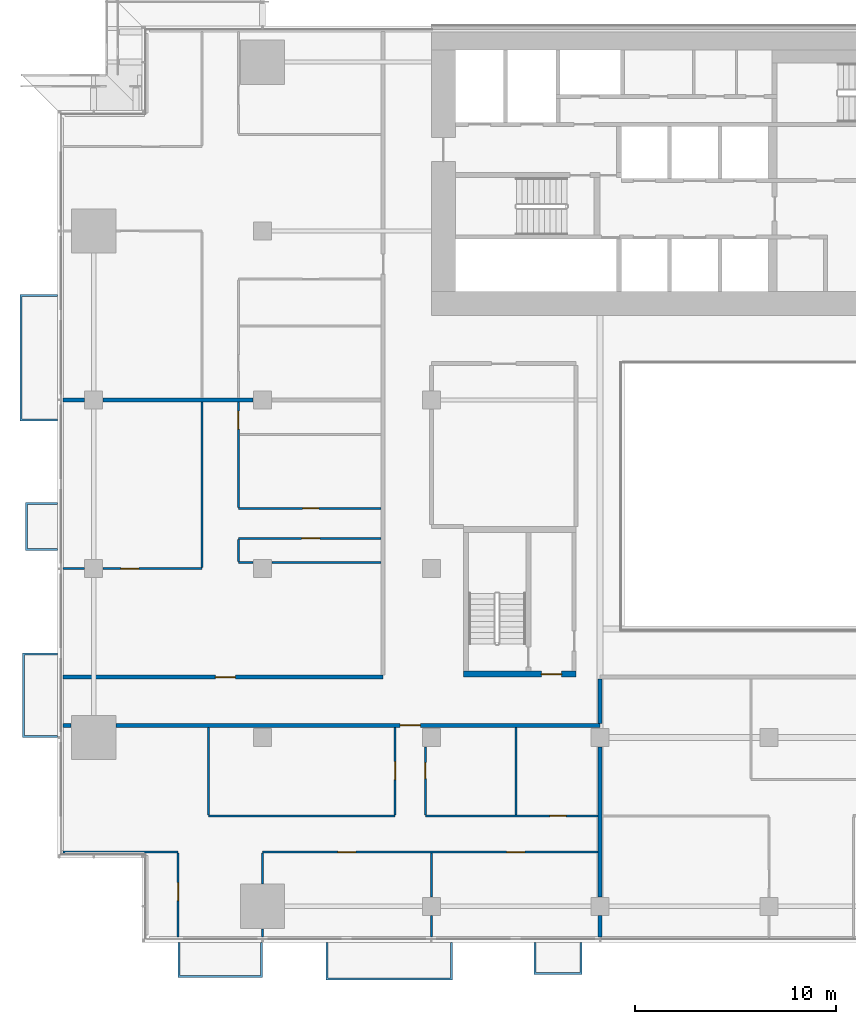
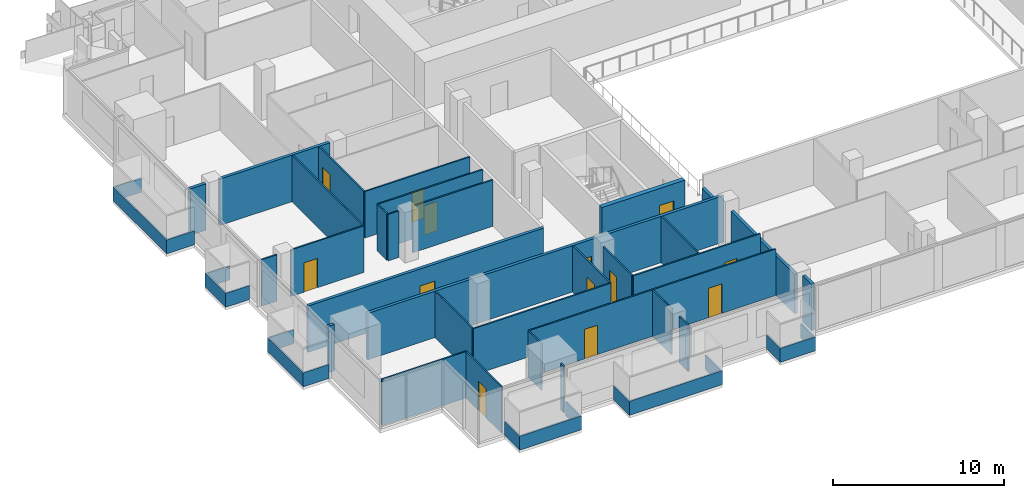
# One storey, part 17 of 29: 37 walls, 13 doors, 13 openings.
"""IFC4 building model written with IfcOpenShell, lengths in metres."""

import ifcopenshell
import ifcopenshell.guid

model = None  # the IFC model being written
_history = None  # IfcOwnerHistory: only IFC2X3 demands one
_inside = {}  # id of a spatial element -> (the spatial element, [elements in it])
_under = {}  # id of a project, library or spatial element -> (it, [spatial elements below it])
_declared = {}  # id of a project -> (the project, [libraries it declares])
_typed = {}  # id of a type object -> (the type object, [elements of that type])
_made_of = {}  # id of a material, layer set ... -> (it, [elements and type objects made of it])


def new_model(schema):
    """Start an empty IFC model of exactly this schema.

    Asked for "IFC4X3", IfcOpenShell would pick the latest addendum, in which some entities
    have other attributes; the version numbers below select the first issue.
    IFC2X3 requires an IfcOwnerHistory on every rooted entity: one is made here for all.
    """
    global model, _history
    if schema == "IFC4X3":
        model = ifcopenshell.file(schema_version=(4, 3, 0, 0))
    else:
        model = ifcopenshell.file(schema=schema)
    _inside.clear()
    _under.clear()
    _declared.clear()
    _typed.clear()
    _made_of.clear()
    _history = None
    if model.schema == "IFC2X3":
        org = make("IfcOrganization", Name="unknown")
        user = make(
            "IfcPersonAndOrganization",
            ThePerson=make("IfcPerson", FamilyName="unknown"),
            TheOrganization=org,
        )
        app = make(
            "IfcApplication",
            ApplicationDeveloper=org,
            Version="unknown",
            ApplicationFullName="unknown",
            ApplicationIdentifier="unknown",
        )
        _history = make(
            "IfcOwnerHistory",
            OwningUser=user,
            OwningApplication=app,
            ChangeAction="ADDED",
            CreationDate=0,
        )
    return model


def make(cls, **values):
    """One entity of the class cls with the attributes given. An attribute that is None is left unset."""
    return model.create_entity(
        cls, **{name: value for name, value in values.items() if value is not None}
    )


def rooted(cls, **values):
    """An entity with a GlobalId (a new one), such as an element, a storey or a relation."""
    return make(cls, GlobalId=ifcopenshell.guid.new(), OwnerHistory=_history, **values)


def si_unit(unit_type, name, prefix=None):
    """IfcSIUnit, for example si_unit("LENGTHUNIT", "METRE", prefix="MILLI")."""
    return make("IfcSIUnit", UnitType=unit_type, Prefix=prefix, Name=name)


def assignment(units):
    """IfcUnitAssignment: the units of a project."""
    return None if units is None else make("IfcUnitAssignment", Units=units)


def point(xyz):
    """IfcCartesianPoint."""
    return None if xyz is None else make("IfcCartesianPoint", Coordinates=xyz)


def direction(xyz):
    """IfcDirection."""
    return None if xyz is None else make("IfcDirection", DirectionRatios=xyz)


def frame(location, z_axis=None, x_axis=None):
    """IfcAxis2Placement3D, a coordinate frame: its origin and axes. An axis left out is left unset."""
    return make(
        "IfcAxis2Placement3D",
        Location=point(location),
        Axis=direction(z_axis),
        RefDirection=direction(x_axis),
    )


def frame_2d(location, x_axis=None):
    """IfcAxis2Placement2D, a coordinate frame in the plane: its origin and x axis."""
    return make(
        "IfcAxis2Placement2D", Location=point(location), RefDirection=direction(x_axis)
    )


def origin():
    """The frame at (0, 0, 0) with its axes left unset."""
    return frame((0.0, 0.0, 0.0))


def place(relative_to, where):
    """IfcLocalPlacement: puts the frame where relative to a parent placement (None: the world)."""
    return make(
        "IfcLocalPlacement", PlacementRelTo=relative_to, RelativePlacement=where
    )


def context(
    kind, dimensions, precision=None, world=None, true_north=None, identifier=None
):
    """IfcGeometricRepresentationContext, for example the 3D "Model" context."""
    return make(
        "IfcGeometricRepresentationContext",
        ContextIdentifier=identifier,
        ContextType=kind,
        CoordinateSpaceDimension=dimensions,
        Precision=precision,
        WorldCoordinateSystem=world,
        TrueNorth=true_north,
    )


def subcontext(parent, identifier, kind, view, scale=None):
    """IfcGeometricRepresentationSubContext, for example "Body" below "Model"."""
    return make(
        "IfcGeometricRepresentationSubContext",
        ContextIdentifier=identifier,
        ContextType=kind,
        ParentContext=parent,
        TargetScale=scale,
        TargetView=view,
    )


def project(units=None, contexts=None):
    """IfcProject with its units and contexts."""
    return rooted(
        "IfcProject",
        Name="project",
        RepresentationContexts=contexts,
        UnitsInContext=assignment(units),
    )


def spatial(cls, under=None, at=None, **own):
    """A site, building, storey or space (cls), placed at a placement, below another one or the project."""
    s = rooted(cls, ObjectPlacement=at, **own)
    if under is not None:
        _under.setdefault(under.id(), (under, []))[1].append(s)
    return s


def polyline(points):
    """IfcPolyline through the points."""
    return make("IfcPolyline", Points=[point(p) for p in points])


def profile(cls, at=None, kind="AREA", **sizes):
    """A parametric profile (cls). Its sizes go by their IFC names, for example OverallWidth=200.0."""
    return make(cls, ProfileType=kind, Position=at, **sizes)


def rectangle(**sizes):
    """IfcRectangleProfileDef."""
    return profile("IfcRectangleProfileDef", **sizes)


def outline(outer, holes=None, kind="AREA"):
    """IfcArbitraryClosedProfileDef: a profile drawn as a closed curve; with holes, ...WithVoids."""
    if holes is None:
        return make("IfcArbitraryClosedProfileDef", ProfileType=kind, OuterCurve=outer)
    return make(
        "IfcArbitraryProfileDefWithVoids",
        ProfileType=kind,
        OuterCurve=outer,
        InnerCurves=holes,
    )


def extrude(swept, where, along, depth):
    """IfcExtrudedAreaSolid: the profile swept, set in the frame where, extruded along a direction by depth."""
    return make(
        "IfcExtrudedAreaSolid",
        SweptArea=swept,
        Position=where,
        ExtrudedDirection=direction(along),
        Depth=depth,
    )


def shape(context_of_items, identifier, shape_type, items):
    """IfcShapeRepresentation: the items that make up one representation, for example the "Body"."""
    return make(
        "IfcShapeRepresentation",
        ContextOfItems=context_of_items,
        RepresentationIdentifier=identifier,
        RepresentationType=shape_type,
        Items=items,
    )


def material(Name=None, Category=None):
    """IfcMaterial."""
    return make("IfcMaterial", Name=Name, Category=Category)


def layer(
    of_material, thickness, ventilated=None, Name=None, Category=None, Priority=None
):
    """IfcMaterialLayer: one layer of a wall or slab, of a material (None: an air gap)."""
    return make(
        "IfcMaterialLayer",
        Material=of_material,
        LayerThickness=thickness,
        IsVentilated=ventilated,
        Name=Name,
        Category=Category,
        Priority=Priority,
    )


def layer_set(layers, Name=None):
    """IfcMaterialLayerSet."""
    return make("IfcMaterialLayerSet", MaterialLayers=layers, LayerSetName=Name)


def made_of(thing, what):
    """Note that an element or type object is made of a material, layer set ...; save() writes the relation."""
    if what is not None:
        _made_of.setdefault(what.id(), (what, []))[1].append(thing)
    return thing


def type_object(cls, material=None, **own):
    """A type object (cls), such as IfcWallType, which elements share."""
    return made_of(rooted(cls, **own), material)


def element(
    cls,
    number,
    at=None,
    inside=None,
    cuts=None,
    type_object=None,
    material=None,
    context=None,
    identifier="Body",
    shape_type=None,
    held_by="IfcProductDefinitionShape",
    body=None,
    shapes=None,
    **own,
):
    """One element of the class cls, such as IfcWall. Its Tag is "e" and its number.

    at: its placement. inside: the storey or other place that contains it. cuts: it is an
    opening in that element (IfcRelVoidsElement). A single representation is given by context,
    identifier, shape_type and body (its items); several are given by shapes. held_by: the class
    of the entity that holds the representations. save() writes the other relations.
    """
    e = rooted(cls, Tag="e%d" % number, ObjectPlacement=at, **own)
    if body is not None:
        shapes = [shape(context, identifier, shape_type, body)]
    if shapes is not None:
        e.Representation = make(held_by, Representations=shapes)
    if inside is not None:
        _inside.setdefault(inside.id(), (inside, []))[1].append(e)
    if cuts is not None:
        rooted(
            "IfcRelVoidsElement", RelatingBuildingElement=cuts, RelatedOpeningElement=e
        )
    if type_object is not None:
        _typed.setdefault(type_object.id(), (type_object, []))[1].append(e)
    return made_of(e, material)


def fill(opening, filler):
    """IfcRelFillsElement: the door or window that sits in an opening."""
    return rooted(
        "IfcRelFillsElement",
        RelatingOpeningElement=opening,
        RelatedBuildingElement=filler,
    )


def aggregate(whole, parts):
    """IfcRelAggregates: a whole, such as a stair, and the parts it consists of."""
    return rooted("IfcRelAggregates", RelatingObject=whole, RelatedObjects=parts)


def save(model, path):
    """Write the relations noted so far, then the file.

    IfcRelAggregates (storeys below a building ...), IfcRelContainedInSpatialStructure (elements
    in a storey), IfcRelDefinesByType, IfcRelAssociatesMaterial and IfcRelDeclares: one each for
    every whole, place, type object, material and project.
    """
    for whole, parts in _under.values():
        aggregate(whole, parts)
    for where, things in _inside.values():
        rooted(
            "IfcRelContainedInSpatialStructure",
            RelatedElements=things,
            RelatingStructure=where,
        )
    for kind, things in _typed.values():
        rooted("IfcRelDefinesByType", RelatedObjects=things, RelatingType=kind)
    for what, things in _made_of.values():
        rooted("IfcRelAssociatesMaterial", RelatedObjects=things, RelatingMaterial=what)
    for by, libraries in _declared.values():
        rooted("IfcRelDeclares", RelatingContext=by, RelatedDefinitions=libraries)
    model.write(path)


model = new_model("IFC4")

# Units and contexts
model_context = context("Model", 3, precision=1e-05, world=origin(), true_north=direction((0.0, 1.0)))
body_context = subcontext(model_context, "Body", "Model", "MODEL_VIEW")
ifc_project = project(units=[si_unit("LENGTHUNIT", "METRE"), si_unit("AREAUNIT", "SQUARE_METRE"), si_unit("VOLUMEUNIT", "CUBIC_METRE"), si_unit("PLANEANGLEUNIT", "RADIAN"), si_unit("MASSUNIT", "GRAM", prefix="KILO")], contexts=[model_context])

# Site, building, storey
site_placement = place(None, origin())
site = spatial("IfcSite", under=ifc_project, at=site_placement, CompositionType="ELEMENT")
building_placement = place(site_placement, origin())
building = spatial("IfcBuilding", under=site, at=building_placement, Name="Saffron Gate Tower", CompositionType="ELEMENT")
storey_placement = place(building_placement, frame((0.0, 0.0, 48.0)))
storey = spatial("IfcBuildingStorey", under=building, at=storey_placement, Name="L10", CompositionType="ELEMENT", Elevation=48.0)

# Wall, opening, door
ifc_material_1 = material(Name="Concrete C70", Category="concrete")
ifc_layer_1 = layer(ifc_material_1, 0.300048828125)
ifc_layer_set_1 = layer_set([ifc_layer_1], Name="CW5 RC core wall 300 C70")
wall_type_1 = type_object("IfcWallType", Name="CW5 RC core wall 300 C70", PredefinedType="SOLIDWALL", material=ifc_layer_set_1)
wall_1_placement = place(storey_placement, frame((68.199951171875, 43.35009765625, 0.0), z_axis=(0.0, 0.0, 1.0), x_axis=(1.0, 0.0, 0.0)))
wall_1 = element("IfcWall", 1, at=wall_1_placement, inside=storey, type_object=wall_type_1, Name="Wall CW5-L10-D-1", PredefinedType="SOLIDWALL", context=body_context, shape_type="SweptSolid", body=[
    extrude(rectangle(XDim=5.60009765625, YDim=0.300048828125, at=frame_2d((2.800048828125, 0.0))), origin(), (0.0, 0.0, 1.0), 3.320068359375),
])
opening_1_placement = place(wall_1_placement, frame((3.875, 0.0, 0.0)))
opening_1 = element("IfcOpeningElement", 2, at=opening_1_placement, cuts=wall_1, Name="Opening CR-18", PredefinedType="OPENING", context=body_context, shape_type="SweptSolid", body=[
    extrude(rectangle(XDim=1.0, YDim=2.10009765625, at=frame_2d((0.5, 1.050048828125))), frame((0.0, 0.16015625, 0.0), z_axis=(0.0, -1.0, 0.0), x_axis=(1.0, 0.0, 0.0)), (0.0, 0.0, 1.0), 0.320068359375),
])
ifc_material_2 = material(Name="Steel fire door set", Category="steel")
door_type_1 = type_object("IfcDoorType", Name="CD4 Lobby door 1000x2100 EI 120", OperationType="NOTDEFINED", PredefinedType="DOOR", material=ifc_material_2)
door_1_placement = place(opening_1_placement, origin())
door_1 = element("IfcDoor", 3, at=door_1_placement, inside=storey, type_object=door_type_1, Name="DOOR CR-18", OperationType="SINGLE_SWING_RIGHT", OverallHeight=2.10009765625, OverallWidth=1.0, PredefinedType="DOOR", context=body_context, shape_type="SweptSolid", body=[
    extrude(rectangle(XDim=1.0, YDim=2.10009765625, at=frame_2d((0.5, 1.050048828125))), frame((0.0, 0.02490234375, 0.0), z_axis=(0.0, -1.0, 0.0), x_axis=(1.0, 0.0, 0.0)), (0.0, 0.0, 1.0), 0.050048828125),
])
fill(opening_1, door_1)

# Wall
ifc_material_3 = material(Name="Plasterboard on steel studs", Category="steel")
ifc_layer_2 = layer(ifc_material_3, 0.10009765625)
ifc_layer_set_2 = layer_set([ifc_layer_2], Name="PW1 Partition 100")
wall_type_2 = type_object("IfcWallType", Name="PW1 Partition 100", PredefinedType="PARTITIONING", material=ifc_layer_set_2)
wall_2_placement = place(storey_placement, frame((48.280029296875, 34.5, 0.0), z_axis=(0.0, 0.0, 1.0), x_axis=(1.0, 0.0, 0.0)))
element("IfcWall", 4, at=wall_2_placement, inside=storey, type_object=wall_type_2, Name="Partition A2-1", PredefinedType="PARTITIONING", context=body_context, shape_type="SweptSolid", body=[
    extrude(rectangle(XDim=5.719970703125, YDim=0.10009765625, at=frame_2d((2.85986328125, 0.0))), origin(), (0.0, 0.0, 1.0), 3.320068359375),
])

# Wall, openings, doors
wall_3_placement = place(storey_placement, frame((74.89990234375, 34.5, 0.0), z_axis=(0.0, 0.0, 1.0), x_axis=(-1.0, 0.0, 0.0)))
wall_3 = element("IfcWall", 5, at=wall_3_placement, inside=storey, type_object=wall_type_2, Name="Partition A2-2", PredefinedType="PARTITIONING", context=body_context, shape_type="SweptSolid", body=[
    extrude(rectangle(XDim=16.699951171875, YDim=0.10009765625, at=frame_2d((8.35009765625, 0.0))), origin(), (0.0, 0.0, 1.0), 3.320068359375),
])
opening_2_placement = place(wall_3_placement, frame((3.64990234375, 0.0, 0.0)))
opening_2 = element("IfcOpeningElement", 6, at=opening_2_placement, cuts=wall_3, Name="Opening A2-10", PredefinedType="OPENING", context=body_context, shape_type="SweptSolid", body=[
    extrude(rectangle(XDim=0.89990234375, YDim=2.10009765625, at=frame_2d((0.449951171875, 1.050048828125))), frame((0.0, 0.06005859375, 0.0), z_axis=(0.0, -1.0, 0.0), x_axis=(1.0, 0.0, 0.0)), (0.0, 0.0, 1.0), 0.1201171875),
])
opening_3_placement = place(wall_3_placement, frame((12.050048828125, 0.0, 0.0)))
opening_3 = element("IfcOpeningElement", 7, at=opening_3_placement, cuts=wall_3, Name="Opening A2-9", PredefinedType="OPENING", context=body_context, shape_type="SweptSolid", body=[
    extrude(rectangle(XDim=0.89990234375, YDim=2.10009765625, at=frame_2d((0.449951171875, 1.050048828125))), frame((0.0, 0.06005859375, 0.0), z_axis=(0.0, -1.0, 0.0), x_axis=(1.0, 0.0, 0.0)), (0.0, 0.0, 1.0), 0.1201171875),
])
ifc_material_4 = material(Name="Timber door set", Category="wood")
door_type_2 = type_object("IfcDoorType", Name="RD1 Room door 900x2100", OperationType="NOTDEFINED", PredefinedType="DOOR", material=ifc_material_4)
door_2_placement = place(opening_2_placement, origin())
door_2 = element("IfcDoor", 8, at=door_2_placement, inside=storey, type_object=door_type_2, Name="Door A2-10", OperationType="SINGLE_SWING_LEFT", OverallHeight=2.10009765625, OverallWidth=0.89990234375, PredefinedType="DOOR", context=body_context, shape_type="SweptSolid", body=[
    extrude(rectangle(XDim=0.89990234375, YDim=2.10009765625, at=frame_2d((0.449951171875, 1.050048828125))), frame((0.0, 0.02490234375, 0.0), z_axis=(0.0, -1.0, 0.0), x_axis=(1.0, 0.0, 0.0)), (0.0, 0.0, 1.0), 0.050048828125),
])
fill(opening_2, door_2)
door_3_placement = place(opening_3_placement, origin())
door_3 = element("IfcDoor", 9, at=door_3_placement, inside=storey, type_object=door_type_2, Name="Door A2-9", OperationType="SINGLE_SWING_RIGHT", OverallHeight=2.10009765625, OverallWidth=0.89990234375, PredefinedType="DOOR", context=body_context, shape_type="SweptSolid", body=[
    extrude(rectangle(XDim=0.89990234375, YDim=2.10009765625, at=frame_2d((0.449951171875, 1.050048828125))), frame((0.0, 0.02490234375, 0.0), z_axis=(0.0, -1.0, 0.0), x_axis=(1.0, 0.0, 0.0)), (0.0, 0.0, 1.0), 0.050048828125),
])
fill(opening_3, door_3)

# Walls
wall_4_placement = place(storey_placement, frame((55.5, 36.300048828125, 0.0), z_axis=(0.0, 0.0, 1.0), x_axis=(1.0, 0.0, 0.0)))
element("IfcWall", 10, at=wall_4_placement, inside=storey, type_object=wall_type_2, Name="Partition A2-5", PredefinedType="PARTITIONING", context=body_context, shape_type="SweptSolid", body=[
    extrude(rectangle(XDim=9.300048828125, YDim=0.10009765625, at=frame_2d((4.64990234375, 0.0))), origin(), (0.0, 0.0, 1.0), 3.320068359375),
])
wall_5_placement = place(storey_placement, frame((48.280029296875, 48.60009765625, 0.0), z_axis=(0.0, 0.0, 1.0), x_axis=(1.0, 0.0, 0.0)))
element("IfcWall", 11, at=wall_5_placement, inside=storey, type_object=wall_type_2, Name="Partition A2-17", PredefinedType="PARTITIONING", context=body_context, shape_type="SweptSolid", body=[
    extrude(rectangle(XDim=1.050048828125, YDim=0.10009765625, at=frame_2d((0.52490234375, 0.0))), origin(), (0.0, 0.0, 1.0), 3.320068359375),
])

# Wall, opening, door
wall_6_placement = place(storey_placement, frame((50.27001953125, 48.60009765625, 0.0), z_axis=(0.0, 0.0, 1.0), x_axis=(1.0, 0.0, 0.0)))
wall_6 = element("IfcWall", 12, at=wall_6_placement, inside=storey, type_object=wall_type_2, Name="Partition A2-18", PredefinedType="PARTITIONING", context=body_context, shape_type="SweptSolid", body=[
    extrude(rectangle(XDim=4.929931640625, YDim=0.10009765625, at=frame_2d((2.46484375, 0.0))), origin(), (0.0, 0.0, 1.0), 3.320068359375),
])
opening_4_placement = place(wall_6_placement, frame((0.8798828125, 0.0, 0.0)))
opening_4 = element("IfcOpeningElement", 13, at=opening_4_placement, cuts=wall_6, Name="Opening A2-21", PredefinedType="OPENING", context=body_context, shape_type="SweptSolid", body=[
    extrude(rectangle(XDim=0.89990234375, YDim=2.10009765625, at=frame_2d((0.449951171875, 1.050048828125))), frame((0.0, 0.06005859375, 0.0), z_axis=(0.0, -1.0, 0.0), x_axis=(1.0, 0.0, 0.0)), (0.0, 0.0, 1.0), 0.1201171875),
])
door_4_placement = place(opening_4_placement, origin())
door_4 = element("IfcDoor", 14, at=door_4_placement, inside=storey, type_object=door_type_2, Name="Door A2-21", OperationType="SINGLE_SWING_LEFT", OverallHeight=2.10009765625, OverallWidth=0.89990234375, PredefinedType="DOOR", context=body_context, shape_type="SweptSolid", body=[
    extrude(rectangle(XDim=0.89990234375, YDim=2.10009765625, at=frame_2d((0.449951171875, 1.050048828125))), frame((0.0, 0.02490234375, 0.0), z_axis=(0.0, -1.0, 0.0), x_axis=(1.0, 0.0, 0.0)), (0.0, 0.0, 1.0), 0.050048828125),
])
fill(opening_4, door_4)

# Walls
wall_7_placement = place(storey_placement, frame((57.0, 48.894287109375, 0.0), z_axis=(0.0, 0.0, 1.0), x_axis=(1.0, 0.0, 0.0)))
element("IfcWall", 15, at=wall_7_placement, inside=storey, type_object=wall_type_2, Name="Partition A2-21", PredefinedType="PARTITIONING", context=body_context, shape_type="SweptSolid", body=[
    extrude(rectangle(XDim=0.72998046875, YDim=0.10009765625, at=frame_2d((0.364990234375, 0.0))), origin(), (0.0, 0.0, 1.0), 3.320068359375),
])
wall_8_placement = place(storey_placement, frame((58.669921875, 48.894287109375, 0.0), z_axis=(0.0, 0.0, 1.0), x_axis=(1.0, 0.0, 0.0)))
element("IfcWall", 16, at=wall_8_placement, inside=storey, type_object=wall_type_2, Name="Partition A2-22", PredefinedType="PARTITIONING", context=body_context, shape_type="SweptSolid", body=[
    extrude(rectangle(XDim=5.43017578125, YDim=0.10009765625, at=frame_2d((2.715087890625, 0.0))), origin(), (0.0, 0.0, 1.0), 3.320068359375),
])

# Wall, opening, door
wall_9_placement = place(storey_placement, frame((64.10009765625, 50.10009765625, 0.0), z_axis=(0.0, 0.0, 1.0), x_axis=(-1.0, 0.0, 0.0)))
wall_9 = element("IfcWall", 17, at=wall_9_placement, inside=storey, type_object=wall_type_2, Name="Partition A2-23", PredefinedType="PARTITIONING", context=body_context, shape_type="SweptSolid", body=[
    extrude(rectangle(XDim=7.10009765625, YDim=0.10009765625, at=frame_2d((3.550048828125, 0.0))), origin(), (0.0, 0.0, 1.0), 3.320068359375),
])
opening_5_placement = place(wall_9_placement, frame((3.050048828125, 0.0, 0.0)))
opening_5 = element("IfcOpeningElement", 18, at=opening_5_placement, cuts=wall_9, Name="Opening A2-22", PredefinedType="OPENING", context=body_context, shape_type="SweptSolid", body=[
    extrude(rectangle(XDim=0.89990234375, YDim=2.10009765625, at=frame_2d((0.449951171875, 1.050048828125))), frame((0.0, 0.06005859375, 0.0), z_axis=(0.0, -1.0, 0.0), x_axis=(1.0, 0.0, 0.0)), (0.0, 0.0, 1.0), 0.1201171875),
])
door_5_placement = place(opening_5_placement, origin())
door_5 = element("IfcDoor", 19, at=door_5_placement, inside=storey, type_object=door_type_2, Name="Door A2-22", OperationType="SINGLE_SWING_LEFT", OverallHeight=2.10009765625, OverallWidth=0.89990234375, PredefinedType="DOOR", context=body_context, shape_type="SweptSolid", body=[
    extrude(rectangle(XDim=0.89990234375, YDim=2.10009765625, at=frame_2d((0.449951171875, 1.050048828125))), frame((0.0, 0.02490234375, 0.0), z_axis=(0.0, -1.0, 0.0), x_axis=(1.0, 0.0, 0.0)), (0.0, 0.0, 1.0), 0.050048828125),
])
fill(opening_5, door_5)

wall_10_placement = place(storey_placement, frame((57.0, 51.60009765625, 0.0), z_axis=(0.0, 0.0, 1.0), x_axis=(1.0, 0.0, 0.0)))
wall_10 = element("IfcWall", 20, at=wall_10_placement, inside=storey, type_object=wall_type_2, Name="Partition A2-26", PredefinedType="PARTITIONING", context=body_context, shape_type="SweptSolid", body=[
    extrude(rectangle(XDim=7.10009765625, YDim=0.10009765625, at=frame_2d((3.550048828125, 0.0))), origin(), (0.0, 0.0, 1.0), 3.320068359375),
])
opening_6_placement = place(wall_10_placement, frame((3.199951171875, 0.0, 0.0)))
opening_6 = element("IfcOpeningElement", 21, at=opening_6_placement, cuts=wall_10, Name="Opening A2-39", PredefinedType="OPENING", context=body_context, shape_type="SweptSolid", body=[
    extrude(rectangle(XDim=0.800048828125, YDim=2.10009765625, at=frame_2d((0.39990234375, 1.050048828125))), frame((0.0, 0.06005859375, 0.0), z_axis=(0.0, -1.0, 0.0), x_axis=(1.0, 0.0, 0.0)), (0.0, 0.0, 1.0), 0.1201171875),
])
door_type_3 = type_object("IfcDoorType", Name="RD2 Bathroom door 800x2100", OperationType="NOTDEFINED", PredefinedType="DOOR", material=ifc_material_4)
door_6_placement = place(opening_6_placement, origin())
door_6 = element("IfcDoor", 22, at=door_6_placement, inside=storey, type_object=door_type_3, Name="Door A2-39", OperationType="SINGLE_SWING_RIGHT", OverallHeight=2.10009765625, OverallWidth=0.800048828125, PredefinedType="DOOR", context=body_context, shape_type="SweptSolid", body=[
    extrude(rectangle(XDim=0.800048828125, YDim=2.10009765625, at=frame_2d((0.39990234375, 1.050048828125))), frame((0.0, 0.02490234375, 0.0), z_axis=(0.0, -1.0, 0.0), x_axis=(1.0, 0.0, 0.0)), (0.0, 0.0, 1.0), 0.050048828125),
])
fill(opening_6, door_6)

wall_11_placement = place(storey_placement, frame((54.0, 30.280029296875, 0.0), z_axis=(0.0, 0.0, 1.0), x_axis=(0.0, 1.0, 0.0)))
wall_11 = element("IfcWall", 23, at=wall_11_placement, inside=storey, type_object=wall_type_2, Name="Partition A2-52", PredefinedType="PARTITIONING", context=body_context, shape_type="SweptSolid", body=[
    extrude(rectangle(XDim=4.169921875, YDim=0.10009765625, at=frame_2d((2.0849609375, 0.0))), origin(), (0.0, 0.0, 1.0), 3.320068359375),
])
opening_7_placement = place(wall_11_placement, frame((1.802734375, 0.0, 0.0)))
opening_7 = element("IfcOpeningElement", 24, at=opening_7_placement, cuts=wall_11, Name="Opening A2-8", PredefinedType="OPENING", context=body_context, shape_type="SweptSolid", body=[
    extrude(rectangle(XDim=0.89990234375, YDim=2.10009765625, at=frame_2d((0.449951171875, 1.050048828125))), frame((0.0, 0.06005859375, 0.0), z_axis=(0.0, -1.0, 0.0), x_axis=(1.0, 0.0, 0.0)), (0.0, 0.0, 1.0), 0.1201171875),
])
door_7_placement = place(opening_7_placement, origin())
door_7 = element("IfcDoor", 25, at=door_7_placement, inside=storey, type_object=door_type_2, Name="Door A2-8", OperationType="SINGLE_SWING_RIGHT", OverallHeight=2.10009765625, OverallWidth=0.89990234375, PredefinedType="DOOR", context=body_context, shape_type="SweptSolid", body=[
    extrude(rectangle(XDim=0.89990234375, YDim=2.10009765625, at=frame_2d((0.449951171875, 1.050048828125))), frame((0.0, 0.02490234375, 0.0), z_axis=(0.0, -1.0, 0.0), x_axis=(1.0, 0.0, 0.0)), (0.0, 0.0, 1.0), 0.050048828125),
])
fill(opening_7, door_7)

# Walls
wall_12_placement = place(storey_placement, frame((55.5, 40.699951171875, 0.0), z_axis=(0.0, 0.0, 1.0), x_axis=(0.0, -1.0, 0.0)))
element("IfcWall", 26, at=wall_12_placement, inside=storey, type_object=wall_type_2, Name="Partition A2-54", PredefinedType="PARTITIONING", context=body_context, shape_type="SweptSolid", body=[
    extrude(rectangle(XDim=4.349853515625, YDim=0.10009765625, at=frame_2d((2.1748046875, 0.0))), origin(), (0.0, 0.0, 1.0), 3.320068359375),
])
wall_13_placement = place(storey_placement, frame((57.0, 50.050048828125, 0.0), z_axis=(0.0, 0.0, 1.0), x_axis=(0.0, -1.0, 0.0)))
element("IfcWall", 27, at=wall_13_placement, inside=storey, type_object=wall_type_2, Name="Partition A2-55", PredefinedType="PARTITIONING", context=body_context, shape_type="SweptSolid", body=[
    extrude(rectangle(XDim=1.105712890625, YDim=0.10009765625, at=frame_2d((0.552734375, 0.0))), origin(), (0.0, 0.0, 1.0), 3.320068359375),
])
wall_14_placement = place(storey_placement, frame((58.199951171875, 30.679931640625, 0.0), z_axis=(0.0, 0.0, 1.0), x_axis=(0.0, -1.0, 0.0)))
element("IfcWall", 28, at=wall_14_placement, inside=storey, type_object=wall_type_2, Name="Partition A2-57", PredefinedType="PARTITIONING", context=body_context, shape_type="SweptSolid", body=[
    extrude(rectangle(XDim=0.39990234375, YDim=0.10009765625, at=frame_2d((0.199951171875, 0.0))), origin(), (0.0, 0.0, 1.0), 3.320068359375),
])
wall_15_placement = place(storey_placement, frame((58.199951171875, 34.449951171875, 0.0), z_axis=(0.0, 0.0, 1.0), x_axis=(0.0, -1.0, 0.0)))
element("IfcWall", 29, at=wall_15_placement, inside=storey, type_object=wall_type_2, Name="Partition A2-58", PredefinedType="PARTITIONING", context=body_context, shape_type="SweptSolid", body=[
    extrude(rectangle(XDim=1.530029296875, YDim=0.10009765625, at=frame_2d((0.76513671875, 0.0))), origin(), (0.0, 0.0, 1.0), 3.320068359375),
])

# Wall, opening, door
wall_16_placement = place(storey_placement, frame((64.800048828125, 36.35009765625, 0.0), z_axis=(0.0, 0.0, 1.0), x_axis=(0.0, 1.0, 0.0)))
wall_16 = element("IfcWall", 30, at=wall_16_placement, inside=storey, type_object=wall_type_2, Name="Partition A2-60", PredefinedType="PARTITIONING", context=body_context, shape_type="SweptSolid", body=[
    extrude(rectangle(XDim=4.349853515625, YDim=0.10009765625, at=frame_2d((2.1748046875, 0.0))), origin(), (0.0, 0.0, 1.0), 3.320068359375),
])
opening_8_placement = place(wall_16_placement, frame((1.75, 0.0, 0.0)))
opening_8 = element("IfcOpeningElement", 31, at=opening_8_placement, cuts=wall_16, Name="Opening A2-11", PredefinedType="OPENING", context=body_context, shape_type="SweptSolid", body=[
    extrude(rectangle(XDim=0.89990234375, YDim=2.10009765625, at=frame_2d((0.449951171875, 1.050048828125))), frame((0.0, 0.06005859375, 0.0), z_axis=(0.0, -1.0, 0.0), x_axis=(1.0, 0.0, 0.0)), (0.0, 0.0, 1.0), 0.1201171875),
])
door_8_placement = place(opening_8_placement, origin())
door_8 = element("IfcDoor", 32, at=door_8_placement, inside=storey, type_object=door_type_2, Name="Door A2-11", OperationType="SINGLE_SWING_RIGHT", OverallHeight=2.10009765625, OverallWidth=0.89990234375, PredefinedType="DOOR", context=body_context, shape_type="SweptSolid", body=[
    extrude(rectangle(XDim=0.89990234375, YDim=2.10009765625, at=frame_2d((0.449951171875, 1.050048828125))), frame((0.0, 0.02490234375, 0.0), z_axis=(0.0, -1.0, 0.0), x_axis=(1.0, 0.0, 0.0)), (0.0, 0.0, 1.0), 0.050048828125),
])
fill(opening_8, door_8)

wall_17_placement = place(storey_placement, frame((66.300048828125, 39.72998046875, 0.0), z_axis=(0.0, 0.0, 1.0), x_axis=(0.0, -1.0, 0.0)))
wall_17 = element("IfcWall", 33, at=wall_17_placement, inside=storey, type_object=wall_type_2, Name="Partition A2-61", PredefinedType="PARTITIONING", context=body_context, shape_type="SweptSolid", body=[
    extrude(rectangle(XDim=3.3798828125, YDim=0.10009765625, at=frame_2d((1.68994140625, 0.0))), origin(), (0.0, 0.0, 1.0), 3.320068359375),
])
opening_9_placement = place(wall_17_placement, frame((0.780029296875, 0.0, 0.0)))
opening_9 = element("IfcOpeningElement", 34, at=opening_9_placement, cuts=wall_17, Name="Opening A2-33", PredefinedType="OPENING", context=body_context, shape_type="SweptSolid", body=[
    extrude(rectangle(XDim=0.800048828125, YDim=2.10009765625, at=frame_2d((0.39990234375, 1.050048828125))), frame((0.0, 0.06005859375, 0.0), z_axis=(0.0, -1.0, 0.0), x_axis=(1.0, 0.0, 0.0)), (0.0, 0.0, 1.0), 0.1201171875),
])
door_9_placement = place(opening_9_placement, origin())
door_9 = element("IfcDoor", 35, at=door_9_placement, inside=storey, type_object=door_type_3, Name="Door A2-33", OperationType="SINGLE_SWING_LEFT", OverallHeight=2.10009765625, OverallWidth=0.800048828125, PredefinedType="DOOR", context=body_context, shape_type="SweptSolid", body=[
    extrude(rectangle(XDim=0.800048828125, YDim=2.10009765625, at=frame_2d((0.39990234375, 1.050048828125))), frame((0.0, 0.02490234375, 0.0), z_axis=(0.0, -1.0, 0.0), x_axis=(1.0, 0.0, 0.0)), (0.0, 0.0, 1.0), 0.050048828125),
])
fill(opening_9, door_9)

# Walls
wall_18_placement = place(storey_placement, frame((66.60009765625, 31.330078125, 0.0), z_axis=(0.0, 0.0, 1.0), x_axis=(0.0, -1.0, 0.0)))
element("IfcWall", 36, at=wall_18_placement, inside=storey, type_object=wall_type_2, Name="Partition A2-64", PredefinedType="PARTITIONING", context=body_context, shape_type="SweptSolid", body=[
    extrude(rectangle(XDim=1.050048828125, YDim=0.10009765625, at=frame_2d((0.52490234375, 0.0))), origin(), (0.0, 0.0, 1.0), 3.320068359375),
])
wall_19_placement = place(storey_placement, frame((66.60009765625, 34.449951171875, 0.0), z_axis=(0.0, 0.0, 1.0), x_axis=(0.0, -1.0, 0.0)))
element("IfcWall", 37, at=wall_19_placement, inside=storey, type_object=wall_type_2, Name="Partition A2-65", PredefinedType="PARTITIONING", context=body_context, shape_type="SweptSolid", body=[
    extrude(rectangle(XDim=2.179931640625, YDim=0.10009765625, at=frame_2d((1.08984375, 0.0))), origin(), (0.0, 0.0, 1.0), 3.320068359375),
])
wall_20_placement = place(storey_placement, frame((70.800048828125, 40.699951171875, 0.0), z_axis=(0.0, 0.0, 1.0), x_axis=(0.0, -1.0, 0.0)))
element("IfcWall", 38, at=wall_20_placement, inside=storey, type_object=wall_type_2, Name="Partition A2-66", PredefinedType="PARTITIONING", context=body_context, shape_type="SweptSolid", body=[
    extrude(rectangle(XDim=4.349853515625, YDim=0.10009765625, at=frame_2d((2.1748046875, 0.0))), origin(), (0.0, 0.0, 1.0), 3.320068359375),
])

# Wall, opening, door
wall_21_placement = place(storey_placement, frame((66.300048828125, 36.300048828125, 0.0), z_axis=(0.0, 0.0, 1.0), x_axis=(1.0, 0.0, 0.0)))
wall_21 = element("IfcWall", 39, at=wall_21_placement, inside=storey, type_object=wall_type_2, Name="Partition A2-99", PredefinedType="PARTITIONING", context=body_context, shape_type="SweptSolid", body=[
    extrude(rectangle(XDim=8.599853515625, YDim=0.10009765625, at=frame_2d((4.2998046875, 0.0))), origin(), (0.0, 0.0, 1.0), 3.320068359375),
])
opening_10_placement = place(wall_21_placement, frame((6.199951171875, 0.0, 0.0)))
opening_10 = element("IfcOpeningElement", 40, at=opening_10_placement, cuts=wall_21, Name="Opening A2-34", PredefinedType="OPENING", context=body_context, shape_type="SweptSolid", body=[
    extrude(rectangle(XDim=0.800048828125, YDim=2.10009765625, at=frame_2d((0.39990234375, 1.050048828125))), frame((0.0, 0.06005859375, 0.0), z_axis=(0.0, -1.0, 0.0), x_axis=(1.0, 0.0, 0.0)), (0.0, 0.0, 1.0), 0.1201171875),
])
door_10_placement = place(opening_10_placement, origin())
door_10 = element("IfcDoor", 41, at=door_10_placement, inside=storey, type_object=door_type_3, Name="Door A2-34", OperationType="SINGLE_SWING_RIGHT", OverallHeight=2.10009765625, OverallWidth=0.800048828125, PredefinedType="DOOR", context=body_context, shape_type="SweptSolid", body=[
    extrude(rectangle(XDim=0.800048828125, YDim=2.10009765625, at=frame_2d((0.39990234375, 1.050048828125))), frame((0.0, 0.02490234375, 0.0), z_axis=(0.0, -1.0, 0.0), x_axis=(1.0, 0.0, 0.0)), (0.0, 0.0, 1.0), 0.050048828125),
])
fill(opening_10, door_10)

# Wall
wall_22_placement = place(storey_placement, frame((55.199951171875, 56.89990234375, 0.0), z_axis=(0.0, 0.0, 1.0), x_axis=(0.0, -1.0, 0.0)))
element("IfcWall", 42, at=wall_22_placement, inside=storey, type_object=wall_type_2, Name="Partition A2-103", PredefinedType="PARTITIONING", context=body_context, shape_type="SweptSolid", body=[
    extrude(rectangle(XDim=8.25, YDim=0.10009765625, at=frame_2d((4.125, 0.0))), origin(), (0.0, 0.0, 1.0), 3.320068359375),
])

# Wall, opening, door
wall_23_placement = place(storey_placement, frame((57.0, 56.89990234375, 0.0), z_axis=(0.0, 0.0, 1.0), x_axis=(0.0, -1.0, 0.0)))
wall_23 = element("IfcWall", 43, at=wall_23_placement, inside=storey, type_object=wall_type_2, Name="Partition A2-105", PredefinedType="PARTITIONING", context=body_context, shape_type="SweptSolid", body=[
    extrude(rectangle(XDim=5.25, YDim=0.10009765625, at=frame_2d((2.625, 0.0))), origin(), (0.0, 0.0, 1.0), 3.320068359375),
])
opening_11_placement = place(wall_23_placement, frame((0.459716796875, 0.0, 0.0)))
opening_11 = element("IfcOpeningElement", 44, at=opening_11_placement, cuts=wall_23, Name="Opening A2-23", PredefinedType="OPENING", context=body_context, shape_type="SweptSolid", body=[
    extrude(rectangle(XDim=0.89990234375, YDim=2.10009765625, at=frame_2d((0.449951171875, 1.050048828125))), frame((0.0, 0.06005859375, 0.0), z_axis=(0.0, -1.0, 0.0), x_axis=(1.0, 0.0, 0.0)), (0.0, 0.0, 1.0), 0.1201171875),
])
door_11_placement = place(opening_11_placement, origin())
door_11 = element("IfcDoor", 45, at=door_11_placement, inside=storey, type_object=door_type_2, Name="Door A2-23", OperationType="SINGLE_SWING_RIGHT", OverallHeight=2.10009765625, OverallWidth=0.89990234375, PredefinedType="DOOR", context=body_context, shape_type="SweptSolid", body=[
    extrude(rectangle(XDim=0.89990234375, YDim=2.10009765625, at=frame_2d((0.449951171875, 1.050048828125))), frame((0.0, 0.02490234375, 0.0), z_axis=(0.0, -1.0, 0.0), x_axis=(1.0, 0.0, 0.0)), (0.0, 0.0, 1.0), 0.050048828125),
])
fill(opening_11, door_11)

# Walls
ifc_material_5 = material(Name="Clay brick masonry, rendered", Category="masonry")
ifc_layer_3 = layer(ifc_material_5, 0.199951171875)
ifc_layer_set_3 = layer_set([ifc_layer_3], Name="PW2 Demising wall 200")
wall_type_3 = type_object("IfcWallType", Name="PW2 Demising wall 200", PredefinedType="PARTITIONING", material=ifc_layer_set_3)
wall_24_placement = place(storey_placement, frame((48.280029296875, 57.0, 0.0), z_axis=(0.0, 0.0, 1.0), x_axis=(1.0, 0.0, 0.0)))
element("IfcWall", 46, at=wall_24_placement, inside=storey, type_object=wall_type_3, Name="Wall A2-32", PredefinedType="PARTITIONING", context=body_context, shape_type="SweptSolid", body=[
    extrude(rectangle(XDim=1.050048828125, YDim=0.199951171875, at=frame_2d((0.52490234375, 0.0))), origin(), (0.0, 0.0, 1.0), 3.320068359375),
])
wall_25_placement = place(storey_placement, frame((50.27001953125, 57.0, 0.0), z_axis=(0.0, 0.0, 1.0), x_axis=(1.0, 0.0, 0.0)))
element("IfcWall", 47, at=wall_25_placement, inside=storey, type_object=wall_type_3, Name="Wall A2-33", PredefinedType="PARTITIONING", context=body_context, shape_type="SweptSolid", body=[
    extrude(rectangle(XDim=7.4599609375, YDim=0.199951171875, at=frame_2d((3.72998046875, 0.0))), origin(), (0.0, 0.0, 1.0), 3.320068359375),
])
wall_26_placement = place(storey_placement, frame((75.0, 31.330078125, 0.0), z_axis=(0.0, 0.0, 1.0), x_axis=(0.0, -1.0, 0.0)))
element("IfcWall", 48, at=wall_26_placement, inside=storey, type_object=wall_type_3, Name="Wall A2-69", PredefinedType="PARTITIONING", context=body_context, shape_type="SweptSolid", body=[
    extrude(rectangle(XDim=1.050048828125, YDim=0.199951171875, at=frame_2d((0.52490234375, 0.0))), origin(), (0.0, 0.0, 1.0), 3.320068359375),
])
wall_27_placement = place(storey_placement, frame((75.0, 39.72998046875, 0.0), z_axis=(0.0, 0.0, 1.0), x_axis=(0.0, -1.0, 0.0)))
element("IfcWall", 49, at=wall_27_placement, inside=storey, type_object=wall_type_3, Name="Wall A2-70", PredefinedType="PARTITIONING", context=body_context, shape_type="SweptSolid", body=[
    extrude(rectangle(XDim=7.4599609375, YDim=0.199951171875, at=frame_2d((3.72998046875, 0.0))), origin(), (0.0, 0.0, 1.0), 2.830078125),
])
ifc_layer_4 = layer(ifc_material_5, 0.199951171875)
ifc_layer_set_4 = layer_set([ifc_layer_4], Name="PW3 Corridor wall 200")
wall_type_4 = type_object("IfcWallType", Name="PW3 Corridor wall 200", PredefinedType="PARTITIONING", material=ifc_layer_set_4)
wall_28_placement = place(storey_placement, frame((48.280029296875, 40.800048828125, 0.0), z_axis=(0.0, 0.0, 1.0), x_axis=(1.0, 0.0, 0.0)))
element("IfcWall", 50, at=wall_28_placement, inside=storey, type_object=wall_type_4, Name="Wall A2-9", PredefinedType="PARTITIONING", context=body_context, shape_type="SweptSolid", body=[
    extrude(rectangle(XDim=0.39990234375, YDim=0.199951171875, at=frame_2d((0.199951171875, 0.0))), origin(), (0.0, 0.0, 1.0), 3.320068359375),
])

# Wall, opening, door
wall_29_placement = place(storey_placement, frame((75.0, 40.800048828125, 0.0), z_axis=(0.0, 0.0, 1.0), x_axis=(-1.0, 0.0, 0.0)))
wall_29 = element("IfcWall", 51, at=wall_29_placement, inside=storey, type_object=wall_type_4, Name="Wall A2-10", PredefinedType="PARTITIONING", context=body_context, shape_type="SweptSolid", body=[
    extrude(rectangle(XDim=24.080078125, YDim=0.199951171875, at=frame_2d((12.0400390625, 0.0))), origin(), (0.0, 0.0, 1.0), 3.320068359375),
])
opening_12_placement = place(wall_29_placement, frame((8.949951171875, 0.0, 0.0)))
opening_12 = element("IfcOpeningElement", 52, at=opening_12_placement, cuts=wall_29, Name="Opening A2-1", PredefinedType="OPENING", context=body_context, shape_type="SweptSolid", body=[
    extrude(rectangle(XDim=1.0, YDim=2.10009765625, at=frame_2d((0.5, 1.050048828125))), frame((0.0, 0.10986328125, 0.0), z_axis=(0.0, -1.0, 0.0), x_axis=(1.0, 0.0, 0.0)), (0.0, 0.0, 1.0), 0.219970703125),
])
ifc_material_6 = material(Name="Timber fire door set", Category="wood")
door_type_4 = type_object("IfcDoorType", Name="FD1 Flat entry door 1000x2100", OperationType="NOTDEFINED", PredefinedType="DOOR", material=ifc_material_6)
door_12_placement = place(opening_12_placement, origin())
door_12 = element("IfcDoor", 53, at=door_12_placement, inside=storey, type_object=door_type_4, Name="Door A2-1", OperationType="SINGLE_SWING_LEFT", OverallHeight=2.10009765625, OverallWidth=1.0, PredefinedType="DOOR", context=body_context, shape_type="SweptSolid", body=[
    extrude(rectangle(XDim=1.0, YDim=2.10009765625, at=frame_2d((0.5, 1.050048828125))), frame((0.0, 0.02490234375, 0.0), z_axis=(0.0, -1.0, 0.0), x_axis=(1.0, 0.0, 0.0)), (0.0, 0.0, 1.0), 0.050048828125),
])
fill(opening_12, door_12)

wall_30_placement = place(storey_placement, frame((48.280029296875, 43.199951171875, 0.0), z_axis=(0.0, 0.0, 1.0), x_axis=(1.0, 0.0, 0.0)))
wall_30 = element("IfcWall", 54, at=wall_30_placement, inside=storey, type_object=wall_type_4, Name="Wall A2-13", PredefinedType="PARTITIONING", context=body_context, shape_type="SweptSolid", body=[
    extrude(rectangle(XDim=15.919921875, YDim=0.199951171875, at=frame_2d((7.9599609375, 0.0))), origin(), (0.0, 0.0, 1.0), 3.320068359375),
])
opening_13_placement = place(wall_30_placement, frame((7.570068359375, 0.0, 0.0)))
opening_13 = element("IfcOpeningElement", 55, at=opening_13_placement, cuts=wall_30, Name="Opening A2-4", PredefinedType="OPENING", context=body_context, shape_type="SweptSolid", body=[
    extrude(rectangle(XDim=1.0, YDim=2.10009765625, at=frame_2d((0.5, 1.050048828125))), frame((0.0, 0.10986328125, 0.0), z_axis=(0.0, -1.0, 0.0), x_axis=(1.0, 0.0, 0.0)), (0.0, 0.0, 1.0), 0.219970703125),
])
door_13_placement = place(opening_13_placement, origin())
door_13 = element("IfcDoor", 56, at=door_13_placement, inside=storey, type_object=door_type_4, Name="Door A2-4", OperationType="SINGLE_SWING_RIGHT", OverallHeight=2.10009765625, OverallWidth=1.0, PredefinedType="DOOR", context=body_context, shape_type="SweptSolid", body=[
    extrude(rectangle(XDim=1.0, YDim=2.10009765625, at=frame_2d((0.5, 1.050048828125))), frame((0.0, 0.02490234375, 0.0), z_axis=(0.0, -1.0, 0.0), x_axis=(1.0, 0.0, 0.0)), (0.0, 0.0, 1.0), 0.050048828125),
])
fill(opening_13, door_13)

# Walls
wall_31_placement = place(storey_placement, frame((75.0, 43.10009765625, 0.0), z_axis=(0.0, 0.0, 1.0), x_axis=(0.0, -1.0, 0.0)))
element("IfcWall", 57, at=wall_31_placement, inside=storey, type_object=wall_type_4, Name="Wall A2-68", PredefinedType="PARTITIONING", context=body_context, shape_type="SweptSolid", body=[
    extrude(rectangle(XDim=2.2001953125, YDim=0.199951171875, at=frame_2d((1.10009765625, 0.0))), origin(), (0.0, 0.0, 1.0), 2.429931640625),
])
ifc_material_7 = material(Name="Rendered insulated panel, white")
ifc_layer_5 = layer(ifc_material_7, 0.10009765625)
ifc_layer_set_5 = layer_set([ifc_layer_5], Name="WB3 box parapet white")
wall_type_5 = type_object("IfcWallType", Name="WB3 box parapet white", PredefinedType="SOLIDWALL", material=ifc_layer_set_5)
wall_32_placement = place(storey_placement, origin())
element("IfcWall", 58, at=wall_32_placement, inside=storey, type_object=wall_type_5, Name="WINDOW BOX parapet", PredefinedType="SOLIDWALL", context=body_context, shape_type="SweptSolid", body=[
    extrude(outline(polyline([(54.0, 30.0), (54.10009765625, 30.0), (54.10009765625, 28.366943359375), (58.10009765625, 28.366943359375), (58.10009765625, 30.0), (58.199951171875, 30.0), (58.199951171875, 28.26708984375), (54.0, 28.26708984375), (54.0, 30.0)])), origin(), (0.0, 0.0, 1.0), 1.0),
])
wall_33_placement = place(storey_placement, origin())
element("IfcWall", 59, at=wall_33_placement, inside=storey, type_object=wall_type_5, Name="WINDOW BOX parapet", PredefinedType="SOLIDWALL", context=body_context, shape_type="SweptSolid", body=[
    extrude(outline(polyline([(61.35009765625, 30.0), (61.449951171875, 30.0), (61.449951171875, 28.23291015625), (67.550048828125, 28.23291015625), (67.550048828125, 30.0), (67.64990234375, 30.0), (67.64990234375, 28.133056640625), (61.35009765625, 28.133056640625), (61.35009765625, 30.0)])), origin(), (0.0, 0.0, 1.0), 1.0),
])
wall_34_placement = place(storey_placement, origin())
element("IfcWall", 60, at=wall_34_placement, inside=storey, type_object=wall_type_5, Name="WINDOW BOX parapet", PredefinedType="SOLIDWALL", context=body_context, shape_type="SweptSolid", body=[
    extrude(outline(polyline([(71.699951171875, 30.0), (71.800048828125, 30.0), (71.800048828125, 28.5), (74.0, 28.5), (74.0, 30.0), (74.10009765625, 30.0), (74.10009765625, 28.39990234375), (71.699951171875, 28.39990234375), (71.699951171875, 30.0)])), origin(), (0.0, 0.0, 1.0), 1.0),
])
wall_35_placement = place(storey_placement, origin())
element("IfcWall", 61, at=wall_35_placement, inside=storey, type_object=wall_type_5, Name="WINDOW BOX parapet", PredefinedType="SOLIDWALL", context=body_context, shape_type="SweptSolid", body=[
    extrude(outline(polyline([(48.0, 62.25), (48.0, 62.14990234375), (46.23291015625, 62.14990234375), (46.23291015625, 56.050048828125), (48.0, 56.050048828125), (48.0, 55.949951171875), (46.133056640625, 55.949951171875), (46.133056640625, 62.25), (48.0, 62.25)])), origin(), (0.0, 0.0, 1.0), 1.0),
])
wall_36_placement = place(storey_placement, origin())
element("IfcWall", 62, at=wall_36_placement, inside=storey, type_object=wall_type_5, Name="WINDOW BOX parapet", PredefinedType="SOLIDWALL", context=body_context, shape_type="SweptSolid", body=[
    extrude(outline(polyline([(48.0, 51.89990234375), (48.0, 51.800048828125), (46.5, 51.800048828125), (46.5, 49.60009765625), (48.0, 49.60009765625), (48.0, 49.5), (46.39990234375, 49.5), (46.39990234375, 51.89990234375), (48.0, 51.89990234375)])), origin(), (0.0, 0.0, 1.0), 1.0),
])
wall_37_placement = place(storey_placement, origin())
element("IfcWall", 63, at=wall_37_placement, inside=storey, type_object=wall_type_5, Name="WINDOW BOX parapet", PredefinedType="SOLIDWALL", context=body_context, shape_type="SweptSolid", body=[
    extrude(outline(polyline([(48.0, 44.39990234375), (48.0, 44.300048828125), (46.366943359375, 44.300048828125), (46.366943359375, 40.300048828125), (48.0, 40.300048828125), (48.0, 40.199951171875), (46.26708984375, 40.199951171875), (46.26708984375, 44.39990234375), (48.0, 44.39990234375)])), origin(), (0.0, 0.0, 1.0), 1.0),
])

save(model, "model.ifc")
